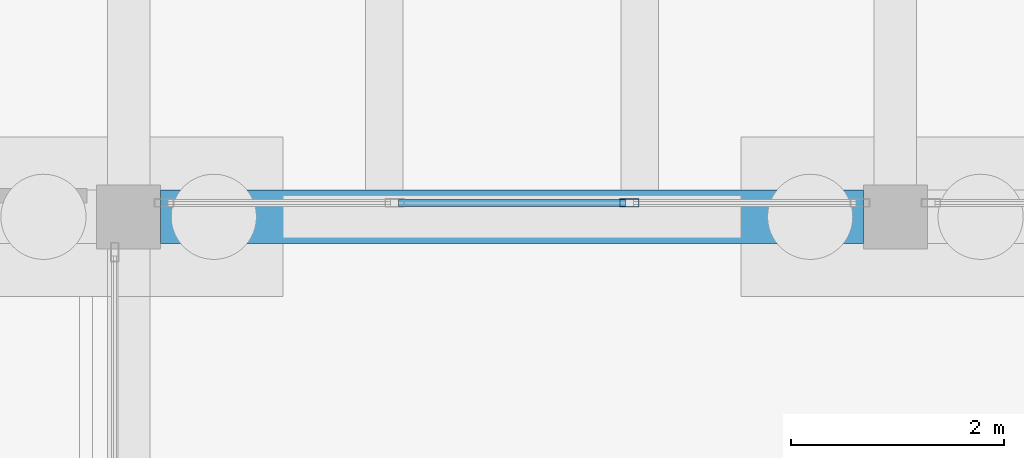
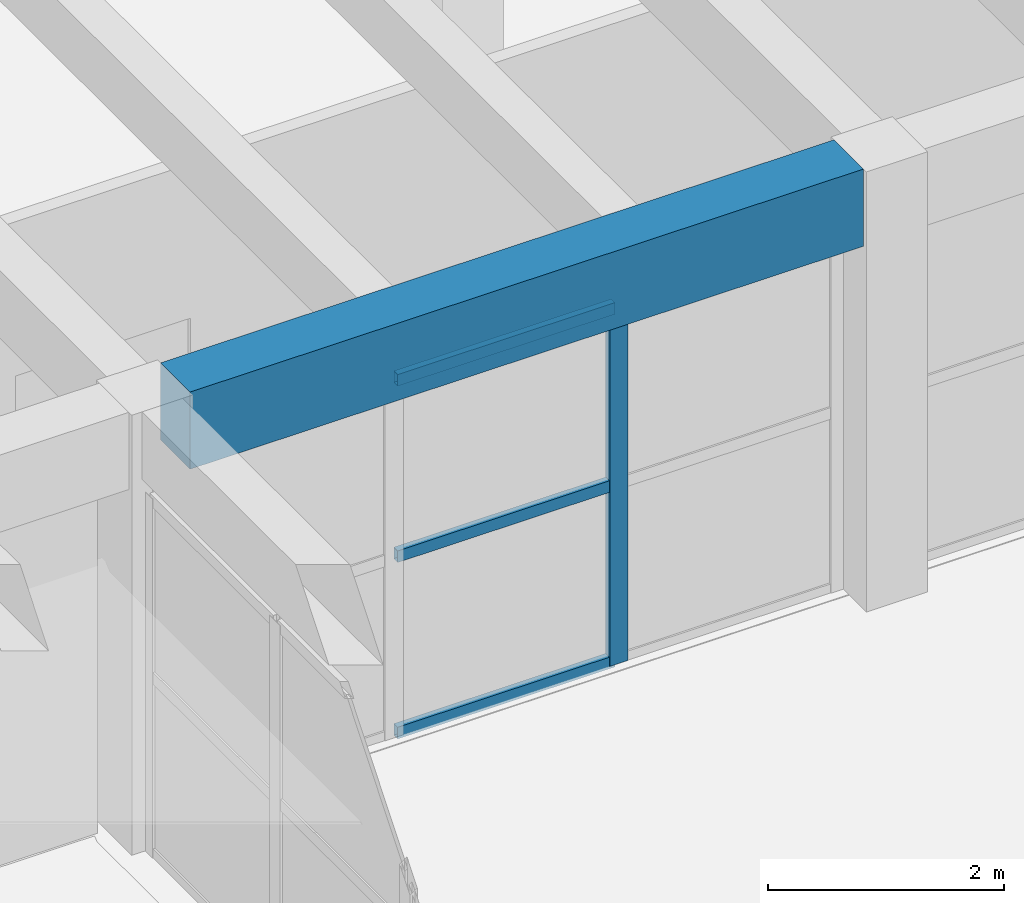
# One storey, part 34 of 155: 4 members, 1 beam, 1 element without a shape of its own.
"""IFC4 building model written with IfcOpenShell, lengths in metres."""

from ifc_helpers import new_model, si_unit, direction, frame, origin, origin_2d, place, context, subcontext, project, spatial, rectangle, hollow_rectangle, extrude, material, material_profile, profile_set, type_object, element, aggregate, save


model = new_model("IFC4")

# Units and contexts
model_context = context("Model", 3, precision=1e-05, world=origin(), true_north=direction((0.0, 1.0)))
body_context = subcontext(model_context, "Body", "Model", "MODEL_VIEW")
ifc_project = project(units=[si_unit("LENGTHUNIT", "METRE"), si_unit("AREAUNIT", "SQUARE_METRE"), si_unit("VOLUMEUNIT", "CUBIC_METRE"), si_unit("PLANEANGLEUNIT", "RADIAN"), si_unit("MASSUNIT", "GRAM", prefix="KILO")], contexts=[model_context])

# Site, building, storey
site_placement = place(None, origin())
site = spatial("IfcSite", under=ifc_project, at=site_placement, CompositionType="ELEMENT")
building_placement = place(site_placement, origin())
building = spatial("IfcBuilding", under=site, at=building_placement, Name="Bramvelor Terrace Health Centre", CompositionType="ELEMENT")
storey_placement = place(building_placement, origin())
storey = spatial("IfcBuildingStorey", under=building, at=storey_placement, Name="L01", CompositionType="ELEMENT", Elevation=0.0)

# Beam
ifc_material_1 = material(Name="Concrete C40/50", Category="concrete")
ifc_material_profile_1 = material_profile(ifc_material_1, rectangle(XDim=0.5, YDim=0.800048828125, at=origin_2d()), Name="RC 500x800")
ifc_profile_set_1 = profile_set([ifc_material_profile_1], Name="Concrete C40/50")
beam_type = type_object("IfcBeamType", Name="BM-RC-G800", PredefinedType="BEAM", material=ifc_profile_set_1)
beam_placement = place(storey_placement, frame((57.89990234375, 64.800048828125, 4.159912109375), z_axis=(1.0, 0.0, 0.0), x_axis=(0.0, 1.0, 0.0)))
element("IfcBeam", 1, at=beam_placement, inside=storey, type_object=beam_type, Name="L01 Floor Girder", PredefinedType="BEAM", context=body_context, shape_type="SweptSolid", body=[
    extrude(rectangle(XDim=0.5, YDim=0.800048828125, at=origin_2d()), origin(), (0.0, 0.0, 1.0), 6.60009765625),
])

# Curtain wall, members
ifc_material_2 = material(Name="Anodized aluminium and double low-E glass", Category="aluminium")
curtain_wall_type = type_object("IfcCurtainWallType", Name="CW-SYS-02", PredefinedType="NOTDEFINED", material=ifc_material_2)
curtain_wall_placement = place(storey_placement, origin())
curtain_wall = element("IfcCurtainWall", 2, at=curtain_wall_placement, inside=storey, type_object=curtain_wall_type, Name="L01 Unitized Curtain Wall 66", PredefinedType="NOTDEFINED")
ifc_material_3 = material(Name="Anodized aluminium 6063-T6", Category="aluminium")
ifc_material_profile_2 = material_profile(ifc_material_3, hollow_rectangle(XDim=0.074951171875, YDim=0.179931640625, WallThickness=0.00341796875, at=origin_2d()), Name="ALU-MUL 75x180x3.5")
ifc_profile_set_2 = profile_set([ifc_material_profile_2], Name="Anodized aluminium 6063-T6")
member_type_1 = type_object("IfcMemberType", Name="CW-MUL-65x180", PredefinedType="MULLION", material=ifc_profile_set_2)
member_1_placement = place(storey_placement, frame((62.3017578125, 64.929931640625, 0.0), z_axis=(0.0, 0.0, 1.0), x_axis=(0.0, -1.0, 0.0)))
member_1 = element("IfcMember", 3, at=member_1_placement, type_object=member_type_1, Name="CW-02 mullion 2", PredefinedType="MULLION", context=body_context, shape_type="SweptSolid", body=[
    extrude(hollow_rectangle(XDim=0.074951171875, YDim=0.179931640625, WallThickness=0.00341796875, at=origin_2d()), origin(), (0.0, 0.0, 1.0), 3.719970703125),
])
ifc_material_4 = material(Name="Anodized aluminium 6063-T6", Category="aluminium")
ifc_material_profile_3 = material_profile(ifc_material_4, hollow_rectangle(XDim=0.06494140625, YDim=0.1201171875, WallThickness=0.0029296875, at=origin_2d()), Name="ALU-TRN 65x120x3.0")
ifc_profile_set_3 = profile_set([ifc_material_profile_3], Name="Anodized aluminium 6063-T6")
member_type_2 = type_object("IfcMemberType", Name="CW-TRN-65x150", PredefinedType="USERDEFINED", material=ifc_profile_set_3)
member_2_placement = place(storey_placement, frame((62.26416015625, 64.929931640625, 0.032470703125), z_axis=(-1.0, 0.0, 0.0), x_axis=(0.0, -1.0, 0.0)))
member_2 = element("IfcMember", 4, at=member_2_placement, type_object=member_type_2, Name="CW-02 transom 2.1", ObjectType="TRANSOM", PredefinedType="USERDEFINED", context=body_context, shape_type="SweptSolid", body=[
    extrude(hollow_rectangle(XDim=0.06494140625, YDim=0.1201171875, WallThickness=0.0029296875, at=origin_2d()), origin(), (0.0, 0.0, 1.0), 2.12841796875),
])
member_3_placement = place(storey_placement, frame((62.26416015625, 64.929931640625, 1.860107421875), z_axis=(-1.0, 0.0, 0.0), x_axis=(0.0, -1.0, 0.0)))
member_3 = element("IfcMember", 5, at=member_3_placement, type_object=member_type_2, Name="CW-02 transom 2.2", ObjectType="TRANSOM", PredefinedType="USERDEFINED", context=body_context, shape_type="SweptSolid", body=[
    extrude(hollow_rectangle(XDim=0.06494140625, YDim=0.1201171875, WallThickness=0.0029296875, at=origin_2d()), origin(), (0.0, 0.0, 1.0), 2.12841796875),
])
member_4_placement = place(storey_placement, frame((62.26416015625, 64.929931640625, 3.6875), z_axis=(-1.0, 0.0, 0.0), x_axis=(0.0, -1.0, 0.0)))
member_4 = element("IfcMember", 6, at=member_4_placement, type_object=member_type_2, Name="CW-02 transom 2.3", ObjectType="TRANSOM", PredefinedType="USERDEFINED", context=body_context, shape_type="SweptSolid", body=[
    extrude(hollow_rectangle(XDim=0.06494140625, YDim=0.1201171875, WallThickness=0.0029296875, at=origin_2d()), origin(), (0.0, 0.0, 1.0), 2.12841796875),
])
aggregate(curtain_wall, [member_1, member_2, member_3, member_4])

save(model, "model.ifc")
